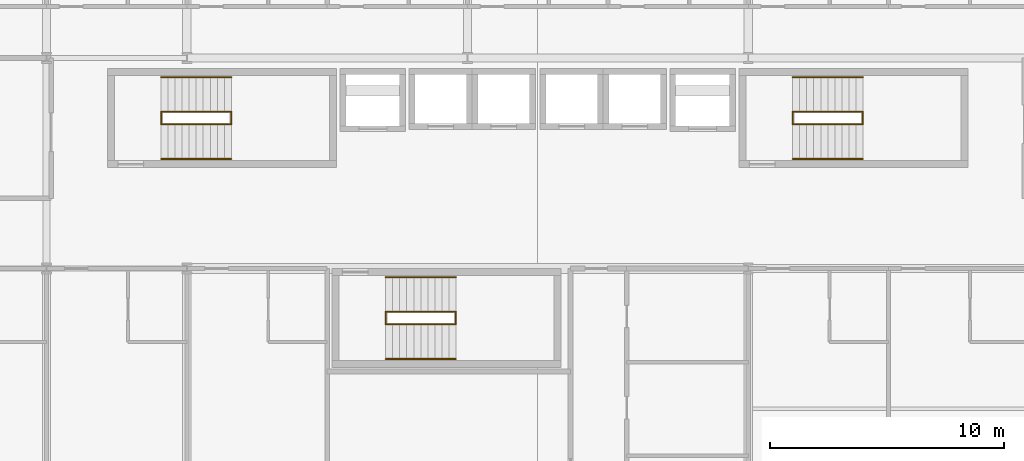
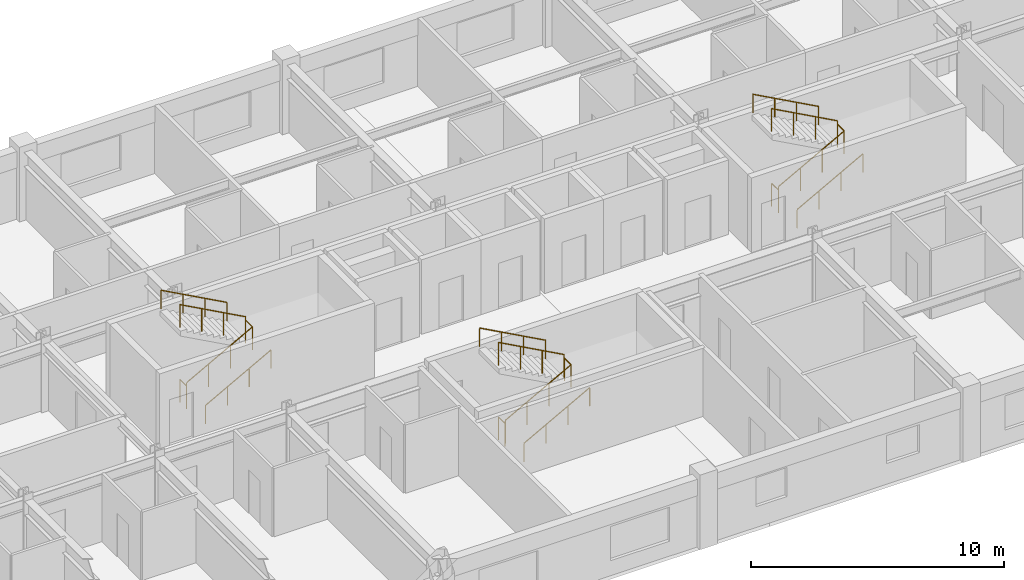
# One storey, part 26 of 27: 18 railings.
"""IFC4 building model written with IfcOpenShell, lengths in metres."""

from ifc_helpers import new_model, si_unit, direction, frame, origin, origin_2d, place, context, subcontext, project, spatial, circle, extrude, material, type_object, element, save


model = new_model("IFC4")

# Units and contexts
model_context = context("Model", 3, precision=1e-05, world=origin(), true_north=direction((0.0, 1.0)))
body_context = subcontext(model_context, "Body", "Model", "MODEL_VIEW")
ifc_project = project(units=[si_unit("LENGTHUNIT", "METRE"), si_unit("AREAUNIT", "SQUARE_METRE"), si_unit("VOLUMEUNIT", "CUBIC_METRE"), si_unit("PLANEANGLEUNIT", "RADIAN"), si_unit("MASSUNIT", "GRAM", prefix="KILO")], contexts=[model_context])

# Site, building, storey
site_placement = place(None, origin())
site = spatial("IfcSite", under=ifc_project, at=site_placement, CompositionType="ELEMENT")
building_placement = place(site_placement, origin())
building = spatial("IfcBuilding", under=site, at=building_placement, Name="Kaldorvane Square Convention Centre", CompositionType="ELEMENT")
storey_placement = place(building_placement, frame((0.0, 0.0, 38.399993896484375)))
storey = spatial("IfcBuildingStorey", under=building, at=storey_placement, Name="L08", CompositionType="ELEMENT", Elevation=38.399993896484375)

# Railings
ifc_material = material(Name="Architectural Painted Steel", Category="steel")
railing_type_1 = type_object("IfcRailingType", Name="RL-GUARD-1120", PredefinedType="BALUSTRADE", material=ifc_material)
for number, where, name in (
    (1, (40.899993896484375, 102.16999816894531, 0.0), "Tower Exit Stair T1 Floor Well Guard (L08)"),
    (2, (43.899993896484375, 102.16999816894531, 1.8000030517578125), "Tower Exit Stair T1 Half-Landing Guard (L08)"),
):
    element("IfcRailing", number, at=place(storey_placement, frame(where)), inside=storey, type_object=railing_type_1, Name=name, PredefinedType="BALUSTRADE", context=body_context, shape_type="SweptSolid", body=[
        extrude(circle(Radius=0.0240020751953125, at=origin_2d()), frame((0.0, 0.0, 1.0959930419921875), z_axis=(0.0, 1.0, 0.0), x_axis=(-1.0, 0.0, 0.0)), (0.0, 0.0, 1.0), 0.5200042724609375),
        extrude(circle(Radius=0.02099609375, at=origin_2d()), origin(), (0.0, 0.0, 1.0), 1.071990966796875),
        extrude(circle(Radius=0.02099609375, at=origin_2d()), frame((0.0, 0.5200042724609375, 0.0)), (0.0, 0.0, 1.0), 1.071990966796875),
    ])
railing_1_placement = place(storey_placement, frame((40.899993896484375, 102.16000366210938, 0.16363525390625)))
element("IfcRailing", 3, at=railing_1_placement, inside=storey, type_object=railing_type_1, Name="Tower Exit Stair T1 Flight 1 Guard (L08)", PredefinedType="BALUSTRADE", context=body_context, shape_type="SweptSolid", body=[
    extrude(circle(Radius=0.0240020751953125, at=origin_2d()), frame((0.0, 0.0, 1.0959930419921875), z_axis=(0.87789506098, 0.0, 0.478853069227), x_axis=(0.0, 1.0, 0.0)), (0.0, 0.0, 1.0), 3.417266845703125),
    extrude(circle(Radius=0.02099609375, at=origin_2d()), origin(), (0.0, 0.0, 1.0), 1.071990966796875),
    extrude(circle(Radius=0.02099609375, at=origin_2d()), frame((1.0, 0.0, 0.5454559326171875)), (0.0, 0.0, 1.0), 1.071990966796875),
    extrude(circle(Radius=0.02099609375, at=origin_2d()), frame((2.0, 0.0, 1.090911865234375)), (0.0, 0.0, 1.0), 1.071990966796875),
    extrude(circle(Radius=0.02099609375, at=origin_2d()), frame((3.0, 0.0, 1.6363677978515625)), (0.0, 0.0, 1.0), 1.071990966796875),
])
railing_2_placement = place(storey_placement, frame((43.899993896484375, 102.69999694824219, 1.9636383056640625)))
element("IfcRailing", 4, at=railing_2_placement, inside=storey, type_object=railing_type_1, Name="Tower Exit Stair T1 Flight 2 Guard (L08)", PredefinedType="BALUSTRADE", context=body_context, shape_type="SweptSolid", body=[
    extrude(circle(Radius=0.0240020751953125, at=origin_2d()), frame((0.0, 0.0, 1.0959930419921875), z_axis=(-0.87789506098, 0.0, 0.478853069227), x_axis=(0.0, -1.0, 0.0)), (0.0, 0.0, 1.0), 3.417266845703125),
    extrude(circle(Radius=0.02099609375, at=origin_2d()), origin(), (0.0, 0.0, 1.0), 1.071990966796875),
    extrude(circle(Radius=0.02099609375, at=origin_2d()), frame((-1.0, 0.0, 0.5454559326171875)), (0.0, 0.0, 1.0), 1.071990966796875),
    extrude(circle(Radius=0.02099609375, at=origin_2d()), frame((-2.0, 0.0, 1.090911865234375)), (0.0, 0.0, 1.0), 1.071990966796875),
    extrude(circle(Radius=0.02099609375, at=origin_2d()), frame((-3.0, 0.0, 1.6363677978515625)), (0.0, 0.0, 1.0), 1.071990966796875),
])
for number, where, name in (
    (5, (67.89999389648438, 102.16999816894531, 0.0), "Tower Exit Stair T2 Floor Well Guard (L08)"),
    (6, (70.89999389648438, 102.16999816894531, 1.8000030517578125), "Tower Exit Stair T2 Half-Landing Guard (L08)"),
):
    element("IfcRailing", number, at=place(storey_placement, frame(where)), inside=storey, type_object=railing_type_1, Name=name, PredefinedType="BALUSTRADE", context=body_context, shape_type="SweptSolid", body=[
        extrude(circle(Radius=0.0240020751953125, at=origin_2d()), frame((0.0, 0.0, 1.0959930419921875), z_axis=(0.0, 1.0, 0.0), x_axis=(-1.0, 0.0, 0.0)), (0.0, 0.0, 1.0), 0.5200042724609375),
        extrude(circle(Radius=0.02099609375, at=origin_2d()), origin(), (0.0, 0.0, 1.0), 1.071990966796875),
        extrude(circle(Radius=0.02099609375, at=origin_2d()), frame((0.0, 0.5200042724609375, 0.0)), (0.0, 0.0, 1.0), 1.071990966796875),
    ])
railing_3_placement = place(storey_placement, frame((67.89999389648438, 102.16000366210938, 0.16363525390625)))
element("IfcRailing", 7, at=railing_3_placement, inside=storey, type_object=railing_type_1, Name="Tower Exit Stair T2 Flight 1 Guard (L08)", PredefinedType="BALUSTRADE", context=body_context, shape_type="SweptSolid", body=[
    extrude(circle(Radius=0.0240020751953125, at=origin_2d()), frame((0.0, 0.0, 1.0959930419921875), z_axis=(0.87789506098, 0.0, 0.478853069227), x_axis=(0.0, 1.0, 0.0)), (0.0, 0.0, 1.0), 3.417266845703125),
    extrude(circle(Radius=0.02099609375, at=origin_2d()), origin(), (0.0, 0.0, 1.0), 1.071990966796875),
    extrude(circle(Radius=0.02099609375, at=origin_2d()), frame((1.0, 0.0, 0.5454559326171875)), (0.0, 0.0, 1.0), 1.071990966796875),
    extrude(circle(Radius=0.02099609375, at=origin_2d()), frame((2.0, 0.0, 1.090911865234375)), (0.0, 0.0, 1.0), 1.071990966796875),
    extrude(circle(Radius=0.02099609375, at=origin_2d()), frame((3.0, 0.0, 1.6363677978515625)), (0.0, 0.0, 1.0), 1.071990966796875),
])
railing_4_placement = place(storey_placement, frame((70.89999389648438, 102.69999694824219, 1.9636383056640625)))
element("IfcRailing", 8, at=railing_4_placement, inside=storey, type_object=railing_type_1, Name="Tower Exit Stair T2 Flight 2 Guard (L08)", PredefinedType="BALUSTRADE", context=body_context, shape_type="SweptSolid", body=[
    extrude(circle(Radius=0.0240020751953125, at=origin_2d()), frame((0.0, 0.0, 1.0959930419921875), z_axis=(-0.87789506098, 0.0, 0.478853069227), x_axis=(0.0, -1.0, 0.0)), (0.0, 0.0, 1.0), 3.417266845703125),
    extrude(circle(Radius=0.02099609375, at=origin_2d()), origin(), (0.0, 0.0, 1.0), 1.071990966796875),
    extrude(circle(Radius=0.02099609375, at=origin_2d()), frame((-1.0, 0.0, 0.5454559326171875)), (0.0, 0.0, 1.0), 1.071990966796875),
    extrude(circle(Radius=0.02099609375, at=origin_2d()), frame((-2.0, 0.0, 1.090911865234375)), (0.0, 0.0, 1.0), 1.071990966796875),
    extrude(circle(Radius=0.02099609375, at=origin_2d()), frame((-3.0, 0.0, 1.6363677978515625)), (0.0, 0.0, 1.0), 1.071990966796875),
])
for number, where, name in (
    (9, (50.5, 93.6199951171875, 0.0), "Tower Exit Stair T3 Floor Well Guard (L08)"),
    (10, (53.5, 93.6199951171875, 1.8000030517578125), "Tower Exit Stair T3 Half-Landing Guard (L08)"),
):
    element("IfcRailing", number, at=place(storey_placement, frame(where)), inside=storey, type_object=railing_type_1, Name=name, PredefinedType="BALUSTRADE", context=body_context, shape_type="SweptSolid", body=[
        extrude(circle(Radius=0.0240020751953125, at=origin_2d()), frame((0.0, 0.0, 1.0959930419921875), z_axis=(0.0, 1.0, 0.0), x_axis=(-1.0, 0.0, 0.0)), (0.0, 0.0, 1.0), 0.5200042724609375),
        extrude(circle(Radius=0.02099609375, at=origin_2d()), origin(), (0.0, 0.0, 1.0), 1.071990966796875),
        extrude(circle(Radius=0.02099609375, at=origin_2d()), frame((0.0, 0.5200042724609375, 0.0)), (0.0, 0.0, 1.0), 1.071990966796875),
    ])
railing_5_placement = place(storey_placement, frame((50.5, 93.61000061035156, 0.16363525390625)))
element("IfcRailing", 11, at=railing_5_placement, inside=storey, type_object=railing_type_1, Name="Tower Exit Stair T3 Flight 1 Guard (L08)", PredefinedType="BALUSTRADE", context=body_context, shape_type="SweptSolid", body=[
    extrude(circle(Radius=0.0240020751953125, at=origin_2d()), frame((0.0, 0.0, 1.0959930419921875), z_axis=(0.87789506098, 0.0, 0.478853069227), x_axis=(0.0, 1.0, 0.0)), (0.0, 0.0, 1.0), 3.417266845703125),
    extrude(circle(Radius=0.02099609375, at=origin_2d()), origin(), (0.0, 0.0, 1.0), 1.071990966796875),
    extrude(circle(Radius=0.02099609375, at=origin_2d()), frame((1.0, 0.0, 0.5454559326171875)), (0.0, 0.0, 1.0), 1.071990966796875),
    extrude(circle(Radius=0.02099609375, at=origin_2d()), frame((2.0, 0.0, 1.090911865234375)), (0.0, 0.0, 1.0), 1.071990966796875),
    extrude(circle(Radius=0.02099609375, at=origin_2d()), frame((3.0, 0.0, 1.6363677978515625)), (0.0, 0.0, 1.0), 1.071990966796875),
])
railing_6_placement = place(storey_placement, frame((53.5, 94.14999389648438, 1.9636383056640625)))
element("IfcRailing", 12, at=railing_6_placement, inside=storey, type_object=railing_type_1, Name="Tower Exit Stair T3 Flight 2 Guard (L08)", PredefinedType="BALUSTRADE", context=body_context, shape_type="SweptSolid", body=[
    extrude(circle(Radius=0.0240020751953125, at=origin_2d()), frame((0.0, 0.0, 1.0959930419921875), z_axis=(-0.87789506098, 0.0, 0.478853069227), x_axis=(0.0, -1.0, 0.0)), (0.0, 0.0, 1.0), 3.417266845703125),
    extrude(circle(Radius=0.02099609375, at=origin_2d()), origin(), (0.0, 0.0, 1.0), 1.071990966796875),
    extrude(circle(Radius=0.02099609375, at=origin_2d()), frame((-1.0, 0.0, 0.5454559326171875)), (0.0, 0.0, 1.0), 1.071990966796875),
    extrude(circle(Radius=0.02099609375, at=origin_2d()), frame((-2.0, 0.0, 1.090911865234375)), (0.0, 0.0, 1.0), 1.071990966796875),
    extrude(circle(Radius=0.02099609375, at=origin_2d()), frame((-3.0, 0.0, 1.6363677978515625)), (0.0, 0.0, 1.0), 1.071990966796875),
])
railing_type_2 = type_object("IfcRailingType", Name="RL-HAND-915", PredefinedType="HANDRAIL", material=ifc_material)
railing_7_placement = place(storey_placement, frame((40.899993896484375, 100.67999267578125, 0.16363525390625)))
element("IfcRailing", 13, at=railing_7_placement, inside=storey, type_object=railing_type_2, Name="Tower Exit Stair T1 Wall Handrail 1 (L08)", PredefinedType="HANDRAIL", context=body_context, shape_type="SweptSolid", body=[
    extrude(circle(Radius=0.0240020751953125, at=origin_2d()), frame((0.0, 0.0, 0.8909912109375), z_axis=(0.87789506098, 0.0, 0.478853069227), x_axis=(0.0, 1.0, 0.0)), (0.0, 0.0, 1.0), 3.417266845703125),
    extrude(circle(Radius=0.02099609375, at=origin_2d()), origin(), (0.0, 0.0, 1.0), 0.8669891357421875),
    extrude(circle(Radius=0.02099609375, at=origin_2d()), frame((1.0, 0.0, 0.5454559326171875)), (0.0, 0.0, 1.0), 0.8669891357421875),
    extrude(circle(Radius=0.02099609375, at=origin_2d()), frame((2.0, 0.0, 1.090911865234375)), (0.0, 0.0, 1.0), 0.8669891357421875),
    extrude(circle(Radius=0.02099609375, at=origin_2d()), frame((3.0, 0.0, 1.6363677978515625)), (0.0, 0.0, 1.0), 0.8669891357421875),
])
railing_8_placement = place(storey_placement, frame((43.899993896484375, 104.17999267578125, 1.9636383056640625)))
element("IfcRailing", 14, at=railing_8_placement, inside=storey, type_object=railing_type_2, Name="Tower Exit Stair T1 Wall Handrail 2 (L08)", PredefinedType="HANDRAIL", context=body_context, shape_type="SweptSolid", body=[
    extrude(circle(Radius=0.0240020751953125, at=origin_2d()), frame((0.0, 0.0, 0.8909912109375), z_axis=(-0.87789506098, 0.0, 0.478853069227), x_axis=(0.0, -1.0, 0.0)), (0.0, 0.0, 1.0), 3.417266845703125),
    extrude(circle(Radius=0.02099609375, at=origin_2d()), origin(), (0.0, 0.0, 1.0), 0.8669891357421875),
    extrude(circle(Radius=0.02099609375, at=origin_2d()), frame((-1.0, 0.0, 0.5454559326171875)), (0.0, 0.0, 1.0), 0.8669891357421875),
    extrude(circle(Radius=0.02099609375, at=origin_2d()), frame((-2.0, 0.0, 1.090911865234375)), (0.0, 0.0, 1.0), 0.8669891357421875),
    extrude(circle(Radius=0.02099609375, at=origin_2d()), frame((-3.0, 0.0, 1.6363677978515625)), (0.0, 0.0, 1.0), 0.8669891357421875),
])
railing_9_placement = place(storey_placement, frame((67.89999389648438, 100.67999267578125, 0.16363525390625)))
element("IfcRailing", 15, at=railing_9_placement, inside=storey, type_object=railing_type_2, Name="Tower Exit Stair T2 Wall Handrail 1 (L08)", PredefinedType="HANDRAIL", context=body_context, shape_type="SweptSolid", body=[
    extrude(circle(Radius=0.0240020751953125, at=origin_2d()), frame((0.0, 0.0, 0.8909912109375), z_axis=(0.87789506098, 0.0, 0.478853069227), x_axis=(0.0, 1.0, 0.0)), (0.0, 0.0, 1.0), 3.417266845703125),
    extrude(circle(Radius=0.02099609375, at=origin_2d()), origin(), (0.0, 0.0, 1.0), 0.8669891357421875),
    extrude(circle(Radius=0.02099609375, at=origin_2d()), frame((1.0, 0.0, 0.5454559326171875)), (0.0, 0.0, 1.0), 0.8669891357421875),
    extrude(circle(Radius=0.02099609375, at=origin_2d()), frame((2.0, 0.0, 1.090911865234375)), (0.0, 0.0, 1.0), 0.8669891357421875),
    extrude(circle(Radius=0.02099609375, at=origin_2d()), frame((3.0, 0.0, 1.6363677978515625)), (0.0, 0.0, 1.0), 0.8669891357421875),
])
railing_10_placement = place(storey_placement, frame((70.89999389648438, 104.17999267578125, 1.9636383056640625)))
element("IfcRailing", 16, at=railing_10_placement, inside=storey, type_object=railing_type_2, Name="Tower Exit Stair T2 Wall Handrail 2 (L08)", PredefinedType="HANDRAIL", context=body_context, shape_type="SweptSolid", body=[
    extrude(circle(Radius=0.0240020751953125, at=origin_2d()), frame((0.0, 0.0, 0.8909912109375), z_axis=(-0.87789506098, 0.0, 0.478853069227), x_axis=(0.0, -1.0, 0.0)), (0.0, 0.0, 1.0), 3.417266845703125),
    extrude(circle(Radius=0.02099609375, at=origin_2d()), origin(), (0.0, 0.0, 1.0), 0.8669891357421875),
    extrude(circle(Radius=0.02099609375, at=origin_2d()), frame((-1.0, 0.0, 0.5454559326171875)), (0.0, 0.0, 1.0), 0.8669891357421875),
    extrude(circle(Radius=0.02099609375, at=origin_2d()), frame((-2.0, 0.0, 1.090911865234375)), (0.0, 0.0, 1.0), 0.8669891357421875),
    extrude(circle(Radius=0.02099609375, at=origin_2d()), frame((-3.0, 0.0, 1.6363677978515625)), (0.0, 0.0, 1.0), 0.8669891357421875),
])
railing_11_placement = place(storey_placement, frame((50.5, 92.1300048828125, 0.16363525390625)))
element("IfcRailing", 17, at=railing_11_placement, inside=storey, type_object=railing_type_2, Name="Tower Exit Stair T3 Wall Handrail 1 (L08)", PredefinedType="HANDRAIL", context=body_context, shape_type="SweptSolid", body=[
    extrude(circle(Radius=0.0240020751953125, at=origin_2d()), frame((0.0, 0.0, 0.8909912109375), z_axis=(0.87789506098, 0.0, 0.478853069227), x_axis=(0.0, 1.0, 0.0)), (0.0, 0.0, 1.0), 3.417266845703125),
    extrude(circle(Radius=0.02099609375, at=origin_2d()), origin(), (0.0, 0.0, 1.0), 0.8669891357421875),
    extrude(circle(Radius=0.02099609375, at=origin_2d()), frame((1.0, 0.0, 0.5454559326171875)), (0.0, 0.0, 1.0), 0.8669891357421875),
    extrude(circle(Radius=0.02099609375, at=origin_2d()), frame((2.0, 0.0, 1.090911865234375)), (0.0, 0.0, 1.0), 0.8669891357421875),
    extrude(circle(Radius=0.02099609375, at=origin_2d()), frame((3.0, 0.0, 1.6363677978515625)), (0.0, 0.0, 1.0), 0.8669891357421875),
])
railing_12_placement = place(storey_placement, frame((53.5, 95.6300048828125, 1.9636383056640625)))
element("IfcRailing", 18, at=railing_12_placement, inside=storey, type_object=railing_type_2, Name="Tower Exit Stair T3 Wall Handrail 2 (L08)", PredefinedType="HANDRAIL", context=body_context, shape_type="SweptSolid", body=[
    extrude(circle(Radius=0.0240020751953125, at=origin_2d()), frame((0.0, 0.0, 0.8909912109375), z_axis=(-0.87789506098, 0.0, 0.478853069227), x_axis=(0.0, -1.0, 0.0)), (0.0, 0.0, 1.0), 3.417266845703125),
    extrude(circle(Radius=0.02099609375, at=origin_2d()), origin(), (0.0, 0.0, 1.0), 0.8669891357421875),
    extrude(circle(Radius=0.02099609375, at=origin_2d()), frame((-1.0, 0.0, 0.5454559326171875)), (0.0, 0.0, 1.0), 0.8669891357421875),
    extrude(circle(Radius=0.02099609375, at=origin_2d()), frame((-2.0, 0.0, 1.090911865234375)), (0.0, 0.0, 1.0), 0.8669891357421875),
    extrude(circle(Radius=0.02099609375, at=origin_2d()), frame((-3.0, 0.0, 1.6363677978515625)), (0.0, 0.0, 1.0), 0.8669891357421875),
])

save(model, "model.ifc")
